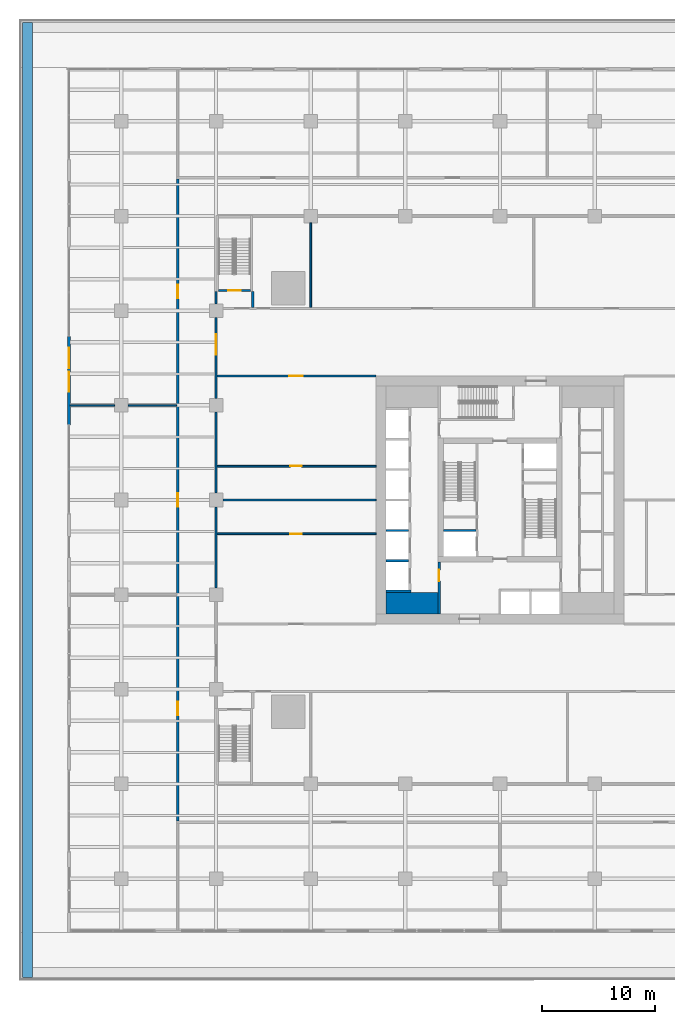
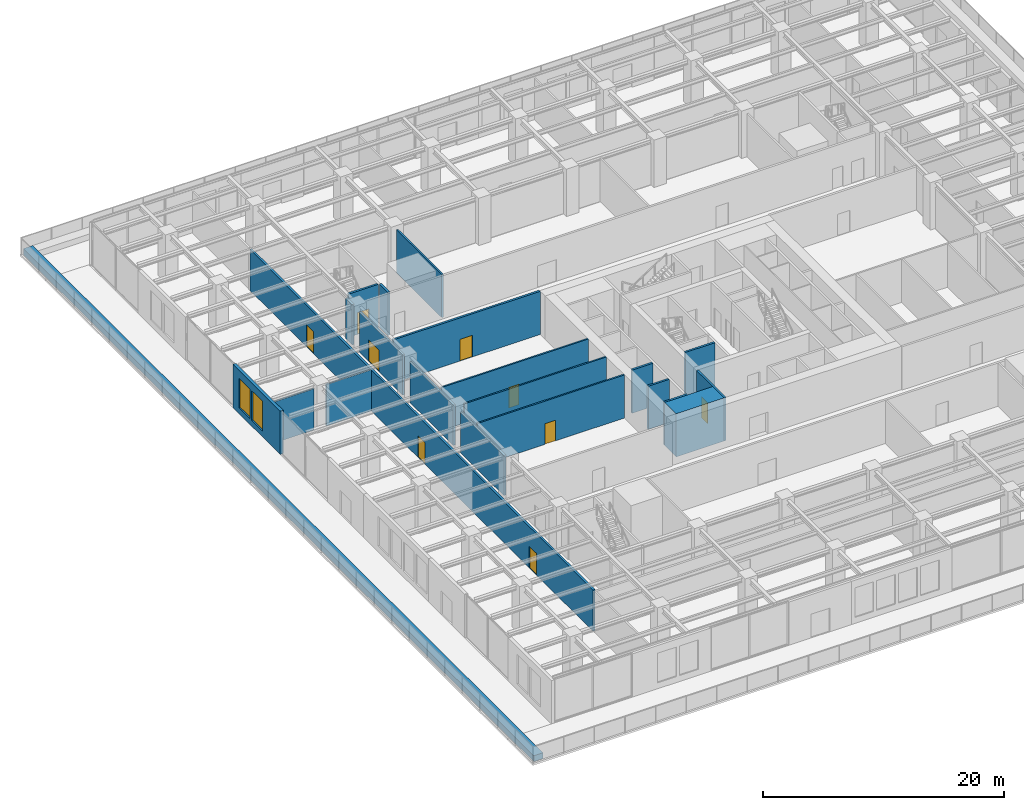
# One storey, part 18 of 32: 22 walls, 9 doors, 2 windows, 11 openings.
"""IFC4 building model written with IfcOpenShell, lengths in metres."""

from ifc_helpers import new_model, si_unit, direction, frame, frame_2d, origin, place, context, subcontext, project, spatial, rectangle, extrude, material, layer, layer_set, type_object, element, fill, save


model = new_model("IFC4")

# Units and contexts
model_context = context("Model", 3, precision=1e-05, world=origin(), true_north=direction((0.0, 1.0)))
body_context = subcontext(model_context, "Body", "Model", "MODEL_VIEW")
ifc_project = project(units=[si_unit("LENGTHUNIT", "METRE"), si_unit("AREAUNIT", "SQUARE_METRE"), si_unit("VOLUMEUNIT", "CUBIC_METRE"), si_unit("PLANEANGLEUNIT", "RADIAN"), si_unit("MASSUNIT", "GRAM", prefix="KILO")], contexts=[model_context])

# Site, building, storey
site_placement = place(None, origin())
site = spatial("IfcSite", under=ifc_project, at=site_placement, CompositionType="ELEMENT")
building_placement = place(site_placement, origin())
building = spatial("IfcBuilding", under=site, at=building_placement, Name="Khepri Terraces", CompositionType="ELEMENT")
storey_placement = place(building_placement, frame((0.0, 0.0, 12.0)))
storey = spatial("IfcBuildingStorey", under=building, at=storey_placement, Name="L02", CompositionType="ELEMENT", Elevation=12.0)

# Walls
ifc_material_1 = material(Name="Concrete C80/95", Category="concrete")
ifc_layer_1 = layer(ifc_material_1, 1.89990234375, Name="Concrete C80/95", Category="concrete")
ifc_layer_set_1 = layer_set([ifc_layer_1], Name="Concrete C80/95")
wall_type_1 = type_object("IfcWallType", Name="Core wall 1900 C80/95", PredefinedType="SHEAR", material=ifc_layer_set_1)
wall_1_placement = place(storey_placement, frame((-10.10009765625, -9.14990234375, 0.0), z_axis=(0.0, 0.0, 1.0), x_axis=(1.0, 0.0, 0.0)))
element("IfcWall", 1, at=wall_1_placement, inside=storey, type_object=wall_type_1, Name="Core wall PR01 L02", PredefinedType="SHEAR", context=body_context, shape_type="SweptSolid", body=[
    extrude(rectangle(XDim=4.60009765625, YDim=1.89990234375, at=frame_2d((2.300048828125, 0.0))), origin(), (0.0, 0.0, 1.0), 4.3798828125),
])
ifc_layer_2 = layer(ifc_material_1, 0.199951171875, Name="Concrete C80/95", Category="concrete")
ifc_layer_set_2 = layer_set([ifc_layer_2], Name="Concrete C80/95")
wall_type_2 = type_object("IfcWallType", Name="Core wall 200 C80/95", PredefinedType="SHEAR", material=ifc_layer_set_2)
wall_2_placement = place(storey_placement, frame((-10.10009765625, -8.10009765625, 0.0), z_axis=(0.0, 0.0, 1.0), x_axis=(1.0, 0.0, 0.0)))
element("IfcWall", 2, at=wall_2_placement, inside=storey, type_object=wall_type_2, Name="Core wall SH04 L02", PredefinedType="SHEAR", context=body_context, shape_type="SweptSolid", body=[
    extrude(rectangle(XDim=2.2001953125, YDim=0.199951171875, at=frame_2d((1.10009765625, 0.0))), origin(), (0.0, 0.0, 1.0), 4.3798828125),
])
for number, where, z_axis, x_axis, name in (
    (3, (-10.10009765625, -5.39990234375, 0.0), (0.0, 0.0, 1.0), (1.0, 0.0, 0.0), "Core wall SH09 L02"),
    (4, (-10.10009765625, -2.699951171875, 0.0), (0.0, 0.0, 1.0), (1.0, 0.0, 0.0), "Core wall SH12 L02"),
):
    element("IfcWall", number, at=place(storey_placement, frame(where, z_axis=z_axis, x_axis=x_axis)), inside=storey, type_object=wall_type_2, Name=name, PredefinedType="SHEAR", context=body_context, shape_type="SweptSolid", body=[
        extrude(rectangle(XDim=2.0, YDim=0.199951171875, at=frame_2d((1.0, 0.0))), origin(), (0.0, 0.0, 1.0), 4.3798828125),
    ])
wall_3_placement = place(storey_placement, frame((-5.0, -2.699951171875, 0.0), z_axis=(0.0, 0.0, 1.0), x_axis=(1.0, 0.0, 0.0)))
element("IfcWall", 5, at=wall_3_placement, inside=storey, type_object=wall_type_2, Name="Core wall SH13 L02", PredefinedType="SHEAR", context=body_context, shape_type="SweptSolid", body=[
    extrude(rectangle(XDim=2.85009765625, YDim=0.199951171875, at=frame_2d((1.425048828125, 0.0))), origin(), (0.0, 0.0, 1.0), 4.3798828125),
])

# Wall, opening, door
ifc_material_2 = material(Name="Fire-rated gypsum board partition")
ifc_layer_3 = layer(ifc_material_2, 0.199951171875, Name="Fire-rated gypsum board partition")
ifc_layer_set_3 = layer_set([ifc_layer_3], Name="Fire-rated gypsum board partition")
wall_type_3 = type_object("IfcWallType", Name="WL-CORE-PART-200", PredefinedType="PARTITIONING", material=ifc_layer_set_3)
wall_4_placement = place(storey_placement, frame((-5.39990234375, -10.10009765625, 0.0), z_axis=(0.0, 0.0, 1.0), x_axis=(0.0, 1.0, 0.0)))
wall_4 = element("IfcWall", 6, at=wall_4_placement, inside=storey, type_object=wall_type_3, Name="Core partition PT01 L02", PredefinedType="PARTITIONING", context=body_context, shape_type="SweptSolid", body=[
    extrude(rectangle(XDim=4.60009765625, YDim=0.199951171875, at=frame_2d((2.300048828125, 0.0))), origin(), (0.0, 0.0, 1.0), 4.3798828125),
])
opening_1_placement = place(wall_4_placement, frame((2.89990234375, 0.0, 0.0)))
opening_1 = element("IfcOpeningElement", 7, at=opening_1_placement, cuts=wall_4, Name="Opening L02-C18", PredefinedType="OPENING", context=body_context, shape_type="SweptSolid", body=[
    extrude(rectangle(XDim=1.0, YDim=2.10009765625, at=frame_2d((0.5, 1.050048828125))), frame((0.0, 0.10986328125, 0.0), z_axis=(0.0, -1.0, 0.0), x_axis=(1.0, 0.0, 0.0)), (0.0, 0.0, 1.0), 0.219970703125),
])
ifc_material_3 = material(Name="Painted steel", Category="steel")
door_type_1 = type_object("IfcDoorType", Name="DR-CORE-LOBBY-1000", OperationType="NOTDEFINED", PredefinedType="DOOR", material=ifc_material_3)
door_1_placement = place(opening_1_placement, frame((1.0, 0.0, 0.0), z_axis=(0.0, 0.0, 1.0), x_axis=(-1.0, 0.0, 0.0)))
door_1 = element("IfcDoor", 8, at=door_1_placement, inside=storey, type_object=door_type_1, Name="Lobby door L02-C18", OperationType="SINGLE_SWING_LEFT", OverallHeight=2.10009765625, OverallWidth=1.0, PredefinedType="DOOR", context=body_context, shape_type="SweptSolid", body=[
    extrude(rectangle(XDim=1.0, YDim=2.10009765625, at=frame_2d((0.5, 1.050048828125))), frame((0.0, 0.02490234375, 0.0), z_axis=(0.0, -1.0, 0.0), x_axis=(1.0, 0.0, 0.0)), (0.0, 0.0, 1.0), 0.050048828125),
])
fill(opening_1, door_1)

# Wall, openings, windows
ifc_material_4 = material(Name="Precast concrete C50/60 warm stone", Category="masonry")
ifc_layer_4 = layer(ifc_material_4, 0.300048828125, Name="Precast concrete C50/60 warm stone", Category="masonry")
ifc_layer_set_4 = layer_set([ifc_layer_4], Name="Precast concrete C50/60 warm stone")
wall_type_4 = type_object("IfcWallType", Name="WL-EXT-PRECAST-300", PredefinedType="STANDARD", material=ifc_layer_set_4)
wall_5_placement = place(storey_placement, frame((-38.25, 14.52001953125, 0.0), z_axis=(0.0, 0.0, 1.0), x_axis=(0.0, -1.0, 0.0)))
wall_5 = element("IfcWall", 9, at=wall_5_placement, inside=storey, type_object=wall_type_4, Name="External wall L02 W", PredefinedType="STANDARD", context=body_context, shape_type="SweptSolid", body=[
    extrude(rectangle(XDim=7.860107421875, YDim=0.300048828125, at=frame_2d((3.93017578125, 0.0))), origin(), (0.0, 0.0, 1.0), 4.3798828125),
])
opening_2_placement = place(wall_5_placement, frame((1.02001953125, 0.0, 0.60009765625)))
opening_2 = element("IfcOpeningElement", 10, at=opening_2_placement, cuts=wall_5, Name="Opening WP1", PredefinedType="OPENING", context=body_context, shape_type="SweptSolid", body=[
    extrude(rectangle(XDim=1.800048828125, YDim=3.0, at=frame_2d((0.89990234375, 1.5))), frame((0.0, 0.16015625, 0.0), z_axis=(0.0, -1.0, 0.0), x_axis=(1.0, 0.0, 0.0)), (0.0, 0.0, 1.0), 0.320068359375),
])
opening_3_placement = place(wall_5_placement, frame((3.1201171875, 0.0, 0.60009765625)))
opening_3 = element("IfcOpeningElement", 11, at=opening_3_placement, cuts=wall_5, Name="Opening WP1", PredefinedType="OPENING", context=body_context, shape_type="SweptSolid", body=[
    extrude(rectangle(XDim=1.800048828125, YDim=3.0, at=frame_2d((0.89990234375, 1.5))), frame((0.0, 0.16015625, 0.0), z_axis=(0.0, -1.0, 0.0), x_axis=(1.0, 0.0, 0.0)), (0.0, 0.0, 1.0), 0.320068359375),
])
ifc_material_5 = material(Name="Clear glass", Category="glass")
window_type = type_object("IfcWindowType", Name="WIN-POD-1800x3000", PartitioningType="SINGLE_PANEL", PredefinedType="WINDOW", material=ifc_material_5)
window_1_placement = place(opening_2_placement, origin())
window_1 = element("IfcWindow", 12, at=window_1_placement, inside=storey, type_object=window_type, Name="Window L02 W", OverallHeight=3.0, OverallWidth=1.800048828125, PartitioningType="SINGLE_PANEL", PredefinedType="WINDOW", context=body_context, shape_type="SweptSolid", body=[
    extrude(rectangle(XDim=1.800048828125, YDim=3.0, at=frame_2d((0.89990234375, 1.5))), frame((0.0, 0.030029296875, 0.0), z_axis=(0.0, -1.0, 0.0), x_axis=(1.0, 0.0, 0.0)), (0.0, 0.0, 1.0), 0.06005859375),
])
fill(opening_2, window_1)
window_2_placement = place(opening_3_placement, origin())
window_2 = element("IfcWindow", 13, at=window_2_placement, inside=storey, type_object=window_type, Name="Window L02 W", OverallHeight=3.0, OverallWidth=1.800048828125, PartitioningType="SINGLE_PANEL", PredefinedType="WINDOW", context=body_context, shape_type="SweptSolid", body=[
    extrude(rectangle(XDim=1.800048828125, YDim=3.0, at=frame_2d((0.89990234375, 1.5))), frame((0.0, 0.030029296875, 0.0), z_axis=(0.0, -1.0, 0.0), x_axis=(1.0, 0.0, 0.0)), (0.0, 0.0, 1.0), 0.06005859375),
])
fill(opening_3, window_2)

# Wall
ifc_layer_5 = layer(ifc_material_4, 0.89990234375, Name="Precast concrete C50/60 warm stone", Category="masonry")
ifc_layer_set_5 = layer_set([ifc_layer_5], Name="Precast concrete C50/60 warm stone")
wall_type_5 = type_object("IfcWallType", Name="WL-PLANTER-900", PredefinedType="MOVABLE", material=ifc_layer_set_5)
wall_6_placement = place(storey_placement, frame((-41.949951171875, -42.39990234375, 0.0), z_axis=(0.0, 0.0, 1.0), x_axis=(0.0, 1.0, 0.0)))
element("IfcWall", 14, at=wall_6_placement, inside=storey, type_object=wall_type_5, Name="Planter L02", PredefinedType="MOVABLE", context=body_context, shape_type="SweptSolid", body=[
    extrude(rectangle(XDim=84.7998046875, YDim=0.89990234375, at=frame_2d((42.39990234375, 0.0))), origin(), (0.0, 0.0, 1.0), 0.60009765625),
])

# Wall, opening, door
ifc_material_6 = material(Name="Gypsum board partition")
ifc_layer_6 = layer(ifc_material_6, 0.14990234375, Name="Gypsum board partition")
ifc_layer_set_6 = layer_set([ifc_layer_6], Name="Gypsum board partition")
wall_type_6 = type_object("IfcWallType", Name="WL-POD-150", PredefinedType="PARTITIONING", material=ifc_layer_set_6)
wall_7_placement = place(storey_placement, frame((-25.10009765625, -3.0, 0.0), z_axis=(0.0, 0.0, 1.0), x_axis=(1.0, 0.0, 0.0)))
wall_7 = element("IfcWall", 15, at=wall_7_placement, inside=storey, type_object=wall_type_6, Name="Partition L02-PW015", PredefinedType="PARTITIONING", context=body_context, shape_type="SweptSolid", body=[
    extrude(rectangle(XDim=14.10009765625, YDim=0.14990234375, at=frame_2d((7.050048828125, 0.0))), origin(), (0.0, 0.0, 1.0), 4.3798828125),
])
opening_4_placement = place(wall_7_placement, frame((6.5, 0.0, 0.0)))
opening_4 = element("IfcOpeningElement", 16, at=opening_4_placement, cuts=wall_7, Name="Opening L02-P20", PredefinedType="OPENING", context=body_context, shape_type="SweptSolid", body=[
    extrude(rectangle(XDim=1.0, YDim=2.10009765625, at=frame_2d((0.5, 1.050048828125))), frame((0.0, 0.0849609375, 0.0), z_axis=(0.0, -1.0, 0.0), x_axis=(1.0, 0.0, 0.0)), (0.0, 0.0, 1.0), 0.169921875),
])
ifc_material_7 = material(Name="Timber veneer", Category="wood")
door_type_2 = type_object("IfcDoorType", Name="DR-POD-SINGLE-1000", OperationType="NOTDEFINED", PredefinedType="DOOR", material=ifc_material_7)
door_2_placement = place(opening_4_placement, origin())
door_2 = element("IfcDoor", 17, at=door_2_placement, inside=storey, type_object=door_type_2, Name="Door L02-P20", OperationType="SINGLE_SWING_RIGHT", OverallHeight=2.10009765625, OverallWidth=1.0, PredefinedType="DOOR", context=body_context, shape_type="SweptSolid", body=[
    extrude(rectangle(XDim=1.0, YDim=2.10009765625, at=frame_2d((0.5, 1.050048828125))), frame((0.0, 0.02490234375, 0.0), z_axis=(0.0, -1.0, 0.0), x_axis=(1.0, 0.0, 0.0)), (0.0, 0.0, 1.0), 0.050048828125),
])
fill(opening_4, door_2)

# Wall
wall_8_placement = place(storey_placement, frame((-24.60009765625, 0.0, 0.0), z_axis=(0.0, 0.0, 1.0), x_axis=(1.0, 0.0, 0.0)))
element("IfcWall", 18, at=wall_8_placement, inside=storey, type_object=wall_type_6, Name="Partition L02-PW016", PredefinedType="PARTITIONING", context=body_context, shape_type="SweptSolid", body=[
    extrude(rectangle(XDim=13.60009765625, YDim=0.14990234375, at=frame_2d((6.800048828125, 0.0))), origin(), (0.0, 0.0, 1.0), 4.3798828125),
])

# Wall, opening, door
wall_9_placement = place(storey_placement, frame((-25.10009765625, 3.0, 0.0), z_axis=(0.0, 0.0, 1.0), x_axis=(1.0, 0.0, 0.0)))
wall_9 = element("IfcWall", 19, at=wall_9_placement, inside=storey, type_object=wall_type_6, Name="Partition L02-PW020", PredefinedType="PARTITIONING", context=body_context, shape_type="SweptSolid", body=[
    extrude(rectangle(XDim=14.10009765625, YDim=0.14990234375, at=frame_2d((7.050048828125, 0.0))), origin(), (0.0, 0.0, 1.0), 4.3798828125),
])
opening_5_placement = place(wall_9_placement, frame((6.5, 0.0, 0.0)))
opening_5 = element("IfcOpeningElement", 20, at=opening_5_placement, cuts=wall_9, Name="Opening L02-P22", PredefinedType="OPENING", context=body_context, shape_type="SweptSolid", body=[
    extrude(rectangle(XDim=1.0, YDim=2.10009765625, at=frame_2d((0.5, 1.050048828125))), frame((0.0, 0.0849609375, 0.0), z_axis=(0.0, -1.0, 0.0), x_axis=(1.0, 0.0, 0.0)), (0.0, 0.0, 1.0), 0.169921875),
])
door_3_placement = place(opening_5_placement, origin())
door_3 = element("IfcDoor", 21, at=door_3_placement, inside=storey, type_object=door_type_2, Name="Door L02-P22", OperationType="SINGLE_SWING_LEFT", OverallHeight=2.10009765625, OverallWidth=1.0, PredefinedType="DOOR", context=body_context, shape_type="SweptSolid", body=[
    extrude(rectangle(XDim=1.0, YDim=2.10009765625, at=frame_2d((0.5, 1.050048828125))), frame((0.0, 0.02490234375, 0.0), z_axis=(0.0, -1.0, 0.0), x_axis=(1.0, 0.0, 0.0)), (0.0, 0.0, 1.0), 0.050048828125),
])
fill(opening_5, door_3)

# Walls
wall_10_placement = place(storey_placement, frame((-38.14990234375, 8.39990234375, 0.0), z_axis=(0.0, 0.0, 1.0), x_axis=(1.0, 0.0, 0.0)))
element("IfcWall", 22, at=wall_10_placement, inside=storey, type_object=wall_type_6, Name="Partition L02-PW021", PredefinedType="PARTITIONING", context=body_context, shape_type="SweptSolid", body=[
    extrude(rectangle(XDim=3.949951171875, YDim=0.14990234375, at=frame_2d((1.97509765625, 0.0))), origin(), (0.0, 0.0, 1.0), 4.179931640625),
])
wall_11_placement = place(storey_placement, frame((-33.0, 8.39990234375, 0.0), z_axis=(0.0, 0.0, 1.0), x_axis=(1.0, 0.0, 0.0)))
element("IfcWall", 23, at=wall_11_placement, inside=storey, type_object=wall_type_6, Name="Partition L02-PW022", PredefinedType="PARTITIONING", context=body_context, shape_type="SweptSolid", body=[
    extrude(rectangle(XDim=4.300048828125, YDim=0.14990234375, at=frame_2d((2.14990234375, 0.0))), origin(), (0.0, 0.0, 1.0), 4.179931640625),
])
wall_12_placement = place(storey_placement, frame((-16.800048828125, 17.10009765625, 0.0), z_axis=(0.0, 0.0, 1.0), x_axis=(0.0, 1.0, 0.0)))
element("IfcWall", 24, at=wall_12_placement, inside=storey, type_object=wall_type_6, Name="Partition L02-PW048", PredefinedType="PARTITIONING", context=body_context, shape_type="SweptSolid", body=[
    extrude(rectangle(XDim=7.5, YDim=0.14990234375, at=frame_2d((3.75, 0.0))), origin(), (0.0, 0.0, 1.0), 4.3798828125),
])

# Wall, opening, door
ifc_material_8 = material(Name="Fire-rated block wall")
ifc_layer_7 = layer(ifc_material_8, 0.199951171875, Name="Fire-rated block wall")
ifc_layer_set_7 = layer_set([ifc_layer_7], Name="Fire-rated block wall")
wall_type_7 = type_object("IfcWallType", Name="WL-POD-200-EI60", PredefinedType="PARTITIONING", material=ifc_layer_set_7)
wall_13_placement = place(storey_placement, frame((-25.10009765625, 11.0, 0.0), z_axis=(0.0, 0.0, 1.0), x_axis=(1.0, 0.0, 0.0)))
wall_13 = element("IfcWall", 25, at=wall_13_placement, inside=storey, type_object=wall_type_7, Name="Partition L02-PW023", PredefinedType="PARTITIONING", context=body_context, shape_type="SweptSolid", body=[
    extrude(rectangle(XDim=14.10009765625, YDim=0.199951171875, at=frame_2d((7.050048828125, 0.0))), origin(), (0.0, 0.0, 1.0), 4.3798828125),
])
opening_6_placement = place(wall_13_placement, frame((6.39990234375, 0.0, 0.0)))
opening_6 = element("IfcOpeningElement", 26, at=opening_6_placement, cuts=wall_13, Name="Opening L02-P24", PredefinedType="OPENING", context=body_context, shape_type="SweptSolid", body=[
    extrude(rectangle(XDim=1.199951171875, YDim=2.199951171875, at=frame_2d((0.60009765625, 1.10009765625))), frame((0.0, 0.10986328125, 0.0), z_axis=(0.0, -1.0, 0.0), x_axis=(1.0, 0.0, 0.0)), (0.0, 0.0, 1.0), 0.219970703125),
])
door_type_3 = type_object("IfcDoorType", Name="DR-POD-SINGLE-1200", OperationType="NOTDEFINED", PredefinedType="DOOR", material=ifc_material_7)
door_4_placement = place(opening_6_placement, origin())
door_4 = element("IfcDoor", 27, at=door_4_placement, inside=storey, type_object=door_type_3, Name="Door L02-P24", OperationType="SINGLE_SWING_RIGHT", OverallHeight=2.199951171875, OverallWidth=1.199951171875, PredefinedType="DOOR", context=body_context, shape_type="SweptSolid", body=[
    extrude(rectangle(XDim=1.199951171875, YDim=2.199951171875, at=frame_2d((0.60009765625, 1.10009765625))), frame((0.0, 0.02490234375, 0.0), z_axis=(0.0, -1.0, 0.0), x_axis=(1.0, 0.0, 0.0)), (0.0, 0.0, 1.0), 0.050048828125),
])
fill(opening_6, door_4)

# Wall, openings, doors
wall_14_placement = place(storey_placement, frame((-28.60009765625, -28.5, 0.0), z_axis=(0.0, 0.0, 1.0), x_axis=(0.0, 1.0, 0.0)))
wall_14 = element("IfcWall", 28, at=wall_14_placement, inside=storey, type_object=wall_type_7, Name="Partition L02-PW037", PredefinedType="PARTITIONING", context=body_context, shape_type="SweptSolid", body=[
    extrude(rectangle(XDim=57.0, YDim=0.199951171875, at=frame_2d((28.5, 0.0))), origin(), (0.0, 0.0, 1.0), 4.179931640625),
])
opening_7_placement = place(wall_14_placement, frame((9.39990234375, 0.0, 0.0)))
opening_7 = element("IfcOpeningElement", 29, at=opening_7_placement, cuts=wall_14, Name="Opening L02-P04", PredefinedType="OPENING", context=body_context, shape_type="SweptSolid", body=[
    extrude(rectangle(XDim=1.199951171875, YDim=2.199951171875, at=frame_2d((0.60009765625, 1.10009765625))), frame((0.0, 0.10986328125, 0.0), z_axis=(0.0, -1.0, 0.0), x_axis=(1.0, 0.0, 0.0)), (0.0, 0.0, 1.0), 0.219970703125),
])
opening_8_placement = place(wall_14_placement, frame((27.89990234375, 0.0, 0.0)))
opening_8 = element("IfcOpeningElement", 30, at=opening_8_placement, cuts=wall_14, Name="Opening L02-P21", PredefinedType="OPENING", context=body_context, shape_type="SweptSolid", body=[
    extrude(rectangle(XDim=1.199951171875, YDim=2.199951171875, at=frame_2d((0.60009765625, 1.10009765625))), frame((0.0, 0.10986328125, 0.0), z_axis=(0.0, -1.0, 0.0), x_axis=(1.0, 0.0, 0.0)), (0.0, 0.0, 1.0), 0.219970703125),
])
opening_9_placement = place(wall_14_placement, frame((46.39990234375, 0.0, 0.0)))
opening_9 = element("IfcOpeningElement", 31, at=opening_9_placement, cuts=wall_14, Name="Opening L02-P34", PredefinedType="OPENING", context=body_context, shape_type="SweptSolid", body=[
    extrude(rectangle(XDim=1.199951171875, YDim=2.199951171875, at=frame_2d((0.60009765625, 1.10009765625))), frame((0.0, 0.10986328125, 0.0), z_axis=(0.0, -1.0, 0.0), x_axis=(1.0, 0.0, 0.0)), (0.0, 0.0, 1.0), 0.219970703125),
])
door_5_placement = place(opening_7_placement, origin())
door_5 = element("IfcDoor", 32, at=door_5_placement, inside=storey, type_object=door_type_3, Name="Door L02-P04", OperationType="SINGLE_SWING_LEFT", OverallHeight=2.199951171875, OverallWidth=1.199951171875, PredefinedType="DOOR", context=body_context, shape_type="SweptSolid", body=[
    extrude(rectangle(XDim=1.199951171875, YDim=2.199951171875, at=frame_2d((0.60009765625, 1.10009765625))), frame((0.0, 0.02490234375, 0.0), z_axis=(0.0, -1.0, 0.0), x_axis=(1.0, 0.0, 0.0)), (0.0, 0.0, 1.0), 0.050048828125),
])
fill(opening_7, door_5)
door_6_placement = place(opening_8_placement, origin())
door_6 = element("IfcDoor", 33, at=door_6_placement, inside=storey, type_object=door_type_3, Name="Door L02-P21", OperationType="SINGLE_SWING_LEFT", OverallHeight=2.199951171875, OverallWidth=1.199951171875, PredefinedType="DOOR", context=body_context, shape_type="SweptSolid", body=[
    extrude(rectangle(XDim=1.199951171875, YDim=2.199951171875, at=frame_2d((0.60009765625, 1.10009765625))), frame((0.0, 0.02490234375, 0.0), z_axis=(0.0, -1.0, 0.0), x_axis=(1.0, 0.0, 0.0)), (0.0, 0.0, 1.0), 0.050048828125),
])
fill(opening_8, door_6)
door_7_placement = place(opening_9_placement, origin())
door_7 = element("IfcDoor", 34, at=door_7_placement, inside=storey, type_object=door_type_3, Name="Door L02-P34", OperationType="SINGLE_SWING_RIGHT", OverallHeight=2.199951171875, OverallWidth=1.199951171875, PredefinedType="DOOR", context=body_context, shape_type="SweptSolid", body=[
    extrude(rectangle(XDim=1.199951171875, YDim=2.199951171875, at=frame_2d((0.60009765625, 1.10009765625))), frame((0.0, 0.02490234375, 0.0), z_axis=(0.0, -1.0, 0.0), x_axis=(1.0, 0.0, 0.0)), (0.0, 0.0, 1.0), 0.050048828125),
])
fill(opening_9, door_7)

# Walls
for number, where, z_axis, x_axis, name in (
    (35, (-25.199951171875, -7.800048828125, 0.0), (0.0, 0.0, 1.0), (0.0, 1.0, 0.0), "Partition L02-PW041"),
    (36, (-25.199951171875, 0.60009765625, 0.0), (0.0, 0.0, 1.0), (0.0, 1.0, 0.0), "Partition L02-PW042"),
):
    element("IfcWall", number, at=place(storey_placement, frame(where, z_axis=z_axis, x_axis=x_axis)), inside=storey, type_object=wall_type_7, Name=name, PredefinedType="PARTITIONING", context=body_context, shape_type="SweptSolid", body=[
        extrude(rectangle(XDim=7.199951171875, YDim=0.199951171875, at=frame_2d((3.60009765625, 0.0))), origin(), (0.0, 0.0, 1.0), 4.080078125),
    ])

# Wall, opening, door
wall_15_placement = place(storey_placement, frame((-25.199951171875, 9.0, 0.0), z_axis=(0.0, 0.0, 1.0), x_axis=(0.0, 1.0, 0.0)))
wall_15 = element("IfcWall", 37, at=wall_15_placement, inside=storey, type_object=wall_type_7, Name="Partition L02-PW043", PredefinedType="PARTITIONING", context=body_context, shape_type="SweptSolid", body=[
    extrude(rectangle(XDim=7.199951171875, YDim=0.199951171875, at=frame_2d((3.60009765625, 0.0))), origin(), (0.0, 0.0, 1.0), 4.080078125),
])
opening_10_placement = place(wall_15_placement, frame((3.89990234375, 0.0, 0.0)))
opening_10 = element("IfcOpeningElement", 38, at=opening_10_placement, cuts=wall_15, Name="Opening L02-P26", PredefinedType="OPENING", context=body_context, shape_type="SweptSolid", body=[
    extrude(rectangle(XDim=1.800048828125, YDim=2.199951171875, at=frame_2d((0.89990234375, 1.10009765625))), frame((0.0, 0.10986328125, 0.0), z_axis=(0.0, -1.0, 0.0), x_axis=(1.0, 0.0, 0.0)), (0.0, 0.0, 1.0), 0.219970703125),
])
door_type_4 = type_object("IfcDoorType", Name="DR-POD-FIRE-PAIR-1800", OperationType="DOUBLE_DOOR_SINGLE_SWING", PredefinedType="DOOR", material=ifc_material_3)
door_8_placement = place(opening_10_placement, origin())
door_8 = element("IfcDoor", 39, at=door_8_placement, inside=storey, type_object=door_type_4, Name="Fire door pair L02-P26", OperationType="DOUBLE_DOOR_SINGLE_SWING", OverallHeight=2.199951171875, OverallWidth=1.800048828125, PredefinedType="DOOR", context=body_context, shape_type="SweptSolid", body=[
    extrude(rectangle(XDim=1.800048828125, YDim=2.199951171875, at=frame_2d((0.89990234375, 1.10009765625))), frame((0.0, 0.02490234375, 0.0), z_axis=(0.0, -1.0, 0.0), x_axis=(1.0, 0.0, 0.0)), (0.0, 0.0, 1.0), 0.050048828125),
])
fill(opening_10, door_8)

# Walls
wall_16_placement = place(storey_placement, frame((-25.199951171875, 17.39990234375, 0.0), z_axis=(0.0, 0.0, 1.0), x_axis=(0.0, 1.0, 0.0)))
element("IfcWall", 40, at=wall_16_placement, inside=storey, type_object=wall_type_7, Name="Partition L02-PW044", PredefinedType="PARTITIONING", context=body_context, shape_type="SweptSolid", body=[
    extrude(rectangle(XDim=1.10009765625, YDim=0.199951171875, at=frame_2d((0.550048828125, 0.0))), origin(), (0.0, 0.0, 1.0), 4.080078125),
])
wall_17_placement = place(storey_placement, frame((-21.949951171875, 17.10009765625, 0.0), z_axis=(0.0, 0.0, 1.0), x_axis=(0.0, 1.0, 0.0)))
element("IfcWall", 41, at=wall_17_placement, inside=storey, type_object=wall_type_7, Name="Partition L02-PW046", PredefinedType="PARTITIONING", context=body_context, shape_type="SweptSolid", body=[
    extrude(rectangle(XDim=1.39990234375, YDim=0.199951171875, at=frame_2d((0.699951171875, 0.0))), origin(), (0.0, 0.0, 1.0), 4.3798828125),
])

# Wall, opening, door
ifc_material_9 = material(Name="Concrete C40/50", Category="concrete")
ifc_layer_8 = layer(ifc_material_9, 0.199951171875, Name="Concrete C40/50", Category="concrete")
ifc_layer_set_8 = layer_set([ifc_layer_8], Name="Concrete C40/50")
wall_type_8 = type_object("IfcWallType", Name="WL-POD-STAIR-200", PredefinedType="SOLIDWALL", material=ifc_layer_set_8)
wall_18_placement = place(storey_placement, frame((-25.0, 18.60009765625, 0.0), z_axis=(0.0, 0.0, 1.0), x_axis=(1.0, 0.0, 0.0)))
wall_18 = element("IfcWall", 42, at=wall_18_placement, inside=storey, type_object=wall_type_8, Name="Stair enclosure PS-2 L02-S", PredefinedType="SOLIDWALL", context=body_context, shape_type="SweptSolid", body=[
    extrude(rectangle(XDim=2.85009765625, YDim=0.199951171875, at=frame_2d((1.425048828125, 0.0))), origin(), (0.0, 0.0, 1.0), 4.3798828125),
])
opening_11_placement = place(wall_18_placement, frame((0.875, 0.0, 0.0)))
opening_11 = element("IfcOpeningElement", 43, at=opening_11_placement, cuts=wall_18, Name="Opening L02-PS-2D", PredefinedType="OPENING", context=body_context, shape_type="SweptSolid", body=[
    extrude(rectangle(XDim=1.10009765625, YDim=2.199951171875, at=frame_2d((0.550048828125, 1.10009765625))), frame((0.0, 0.10986328125, 0.0), z_axis=(0.0, -1.0, 0.0), x_axis=(1.0, 0.0, 0.0)), (0.0, 0.0, 1.0), 0.219970703125),
])
door_type_5 = type_object("IfcDoorType", Name="DR-POD-STAIR-1100", OperationType="NOTDEFINED", PredefinedType="DOOR", material=ifc_material_3)
door_9_placement = place(opening_11_placement, origin())
door_9 = element("IfcDoor", 44, at=door_9_placement, inside=storey, type_object=door_type_5, Name="Stair door L02-PS-2D", OperationType="SINGLE_SWING_LEFT", OverallHeight=2.199951171875, OverallWidth=1.10009765625, PredefinedType="DOOR", context=body_context, shape_type="SweptSolid", body=[
    extrude(rectangle(XDim=1.10009765625, YDim=2.199951171875, at=frame_2d((0.550048828125, 1.10009765625))), frame((0.0, 0.02490234375, 0.0), z_axis=(0.0, -1.0, 0.0), x_axis=(1.0, 0.0, 0.0)), (0.0, 0.0, 1.0), 0.050048828125),
])
fill(opening_11, door_9)

save(model, "model.ifc")
